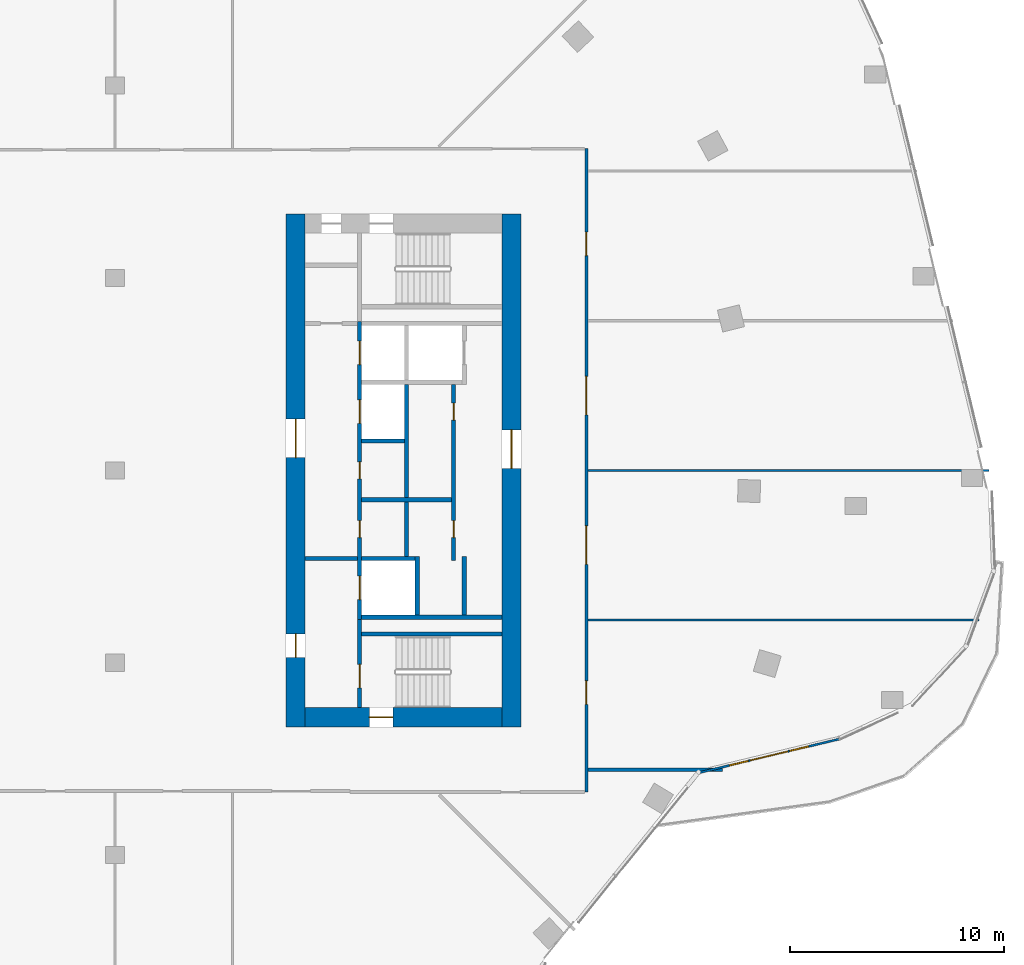
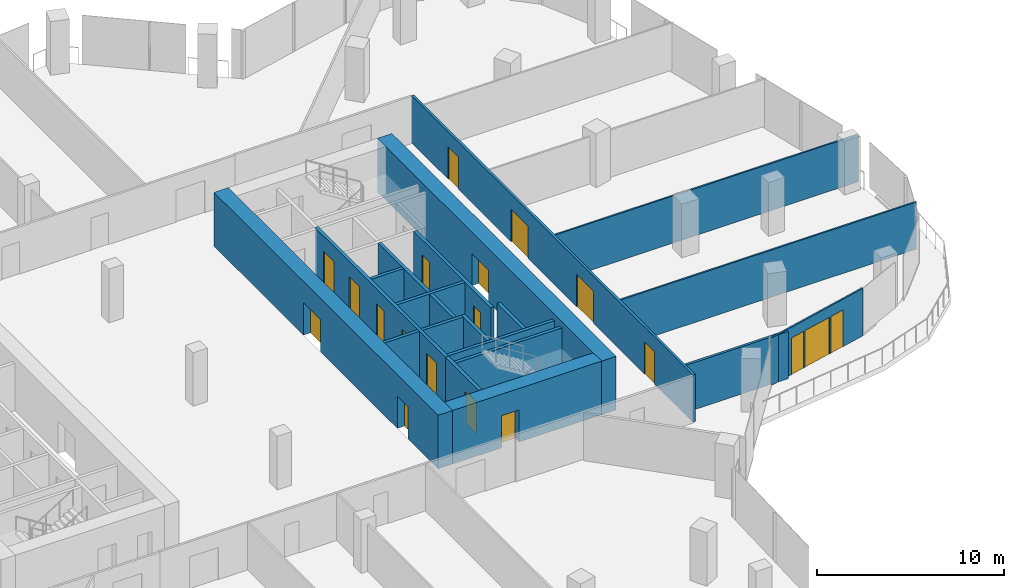
# One storey, part 18 of 24: 21 walls, 17 doors, 2 windows, 19 openings.
"""IFC4 building model written with IfcOpenShell, lengths in metres."""

from ifc_helpers import new_model, si_unit, direction, frame, frame_2d, origin, place, context, subcontext, project, spatial, rectangle, extrude, material, layer, layer_set, type_object, element, fill, save


model = new_model("IFC4")

# Units and contexts
model_context = context("Model", 3, precision=1e-05, world=origin(), true_north=direction((0.0, 1.0)))
body_context = subcontext(model_context, "Body", "Model", "MODEL_VIEW")
ifc_project = project(units=[si_unit("LENGTHUNIT", "METRE"), si_unit("AREAUNIT", "SQUARE_METRE"), si_unit("VOLUMEUNIT", "CUBIC_METRE"), si_unit("PLANEANGLEUNIT", "RADIAN"), si_unit("MASSUNIT", "GRAM", prefix="KILO")], contexts=[model_context])

# Site, building, storey
site_placement = place(None, origin())
site = spatial("IfcSite", under=ifc_project, at=site_placement, CompositionType="ELEMENT")
building_placement = place(site_placement, origin())
building = spatial("IfcBuilding", under=site, at=building_placement, Name="Orlundy Tower", CompositionType="ELEMENT")
storey_placement = place(building_placement, frame((0.0, 0.0, 210.5)))
storey = spatial("IfcBuildingStorey", under=building, at=storey_placement, Name="L55", CompositionType="ELEMENT", Elevation=210.5)

# Wall, opening, door
ifc_material_1 = material(Name="Concrete C60/75", Category="concrete")
ifc_layer_1 = layer(ifc_material_1, 0.89990234375)
ifc_layer_set_1 = layer_set([ifc_layer_1], Name="CORE WALL 900 C60/75")
wall_type_1 = type_object("IfcWallType", Name="CORE WALL 900 C60/75", PredefinedType="SHEAR", material=ifc_layer_set_1)
wall_1_placement = place(storey_placement, frame((8.89990234375, -11.550048828125, 0.0), z_axis=(0.0, 0.0, 1.0), x_axis=(1.0, 0.0, 0.0)))
wall_1 = element("IfcWall", 1, at=wall_1_placement, inside=storey, type_object=wall_type_1, Name="Core wall E-S L55", PredefinedType="SHEAR", context=body_context, shape_type="SweptSolid", body=[
    extrude(rectangle(XDim=9.2001953125, YDim=0.89990234375, at=frame_2d((4.60009765625, 0.0))), origin(), (0.0, 0.0, 1.0), 3.5),
])
opening_1_placement = place(wall_1_placement, frame((3.0, 0.0, 0.0)))
opening_1 = element("IfcOpeningElement", 2, at=opening_1_placement, cuts=wall_1, Name="Opening 42061", PredefinedType="OPENING", context=body_context, shape_type="SweptSolid", body=[
    extrude(rectangle(XDim=1.10009765625, YDim=2.10009765625, at=frame_2d((0.550048828125, 1.050048828125))), frame((0.0, 0.4599609375, 0.0), z_axis=(0.0, -1.0, 0.0), x_axis=(1.0, 0.0, 0.0)), (0.0, 0.0, 1.0), 0.919921875),
])
ifc_material_2 = material(Name="Steel door set", Category="steel")
door_type_1 = type_object("IfcDoorType", Name="Stair Door 1100x2100", OperationType="SINGLE_SWING_LEFT", PredefinedType="DOOR", material=ifc_material_2)
door_1_placement = place(opening_1_placement, origin())
door_1 = element("IfcDoor", 3, at=door_1_placement, inside=storey, type_object=door_type_1, Name="Stair door 42061", OperationType="SINGLE_SWING_LEFT", OverallHeight=2.10009765625, OverallWidth=1.10009765625, PredefinedType="DOOR", context=body_context, shape_type="SweptSolid", body=[
    extrude(rectangle(XDim=1.10009765625, YDim=2.10009765625, at=frame_2d((0.550048828125, 1.050048828125))), frame((0.0, 0.02490234375, 0.0), z_axis=(0.0, -1.0, 0.0), x_axis=(1.0, 0.0, 0.0)), (0.0, 0.0, 1.0), 0.050048828125),
])
fill(opening_1, door_1)

# Wall, openings, doors
wall_2_placement = place(storey_placement, frame((8.449951171875, -12.0, 0.0), z_axis=(0.0, 0.0, 1.0), x_axis=(0.0, 1.0, 0.0)))
wall_2 = element("IfcWall", 4, at=wall_2_placement, inside=storey, type_object=wall_type_1, Name="Core wall E-W L55", PredefinedType="SHEAR", context=body_context, shape_type="SweptSolid", body=[
    extrude(rectangle(XDim=24.0, YDim=0.89990234375, at=frame_2d((12.0, 0.0))), origin(), (0.0, 0.0, 1.0), 3.5),
])
opening_2_placement = place(wall_2_placement, frame((12.60009765625, 0.0, 0.0)))
opening_2 = element("IfcOpeningElement", 5, at=opening_2_placement, cuts=wall_2, Name="Opening 42058", PredefinedType="OPENING", context=body_context, shape_type="SweptSolid", body=[
    extrude(rectangle(XDim=1.800048828125, YDim=2.10009765625, at=frame_2d((0.89990234375, 1.050048828125))), frame((0.0, 0.4599609375, 0.0), z_axis=(0.0, -1.0, 0.0), x_axis=(1.0, 0.0, 0.0)), (0.0, 0.0, 1.0), 0.919921875),
])
opening_3_placement = place(wall_2_placement, frame((3.25, 0.0, 0.0)))
opening_3 = element("IfcOpeningElement", 6, at=opening_3_placement, cuts=wall_2, Name="Opening 42060", PredefinedType="OPENING", context=body_context, shape_type="SweptSolid", body=[
    extrude(rectangle(XDim=1.10009765625, YDim=2.10009765625, at=frame_2d((0.550048828125, 1.050048828125))), frame((0.0, 0.4599609375, 0.0), z_axis=(0.0, -1.0, 0.0), x_axis=(1.0, 0.0, 0.0)), (0.0, 0.0, 1.0), 0.919921875),
])
ifc_material_3 = material(Name="Steel door set", Category="steel")
door_type_2 = type_object("IfcDoorType", Name="Fire-fighting Lobby Door 1100x2100", OperationType="SINGLE_SWING_LEFT", PredefinedType="DOOR", material=ifc_material_3)
door_2_placement = place(opening_3_placement, origin())
door_2 = element("IfcDoor", 7, at=door_2_placement, inside=storey, type_object=door_type_2, Name="Fire-fighting lobby door 42060", OperationType="SINGLE_SWING_LEFT", OverallHeight=2.10009765625, OverallWidth=1.10009765625, PredefinedType="DOOR", context=body_context, shape_type="SweptSolid", body=[
    extrude(rectangle(XDim=1.10009765625, YDim=2.10009765625, at=frame_2d((0.550048828125, 1.050048828125))), frame((0.0, 0.02490234375, 0.0), z_axis=(0.0, -1.0, 0.0), x_axis=(1.0, 0.0, 0.0)), (0.0, 0.0, 1.0), 0.050048828125),
])
fill(opening_3, door_2)
ifc_material_4 = material(Name="Timber door set", Category="wood")
door_type_3 = type_object("IfcDoorType", Name="Lobby Door 1800x2100", OperationType="DOUBLE_DOOR_DOUBLE_SWING", PredefinedType="DOOR", material=ifc_material_4)
door_3_placement = place(opening_2_placement, origin())
door_3 = element("IfcDoor", 8, at=door_3_placement, inside=storey, type_object=door_type_3, Name="Lift lobby door 42058", OperationType="SINGLE_SWING_RIGHT", OverallHeight=2.10009765625, OverallWidth=1.800048828125, PredefinedType="DOOR", context=body_context, shape_type="SweptSolid", body=[
    extrude(rectangle(XDim=1.800048828125, YDim=2.10009765625, at=frame_2d((0.89990234375, 1.050048828125))), frame((0.0, 0.02490234375, 0.0), z_axis=(0.0, -1.0, 0.0), x_axis=(1.0, 0.0, 0.0)), (0.0, 0.0, 1.0), 0.050048828125),
])
fill(opening_2, door_3)

# Wall, opening, door
wall_3_placement = place(storey_placement, frame((18.550048828125, -12.0, 0.0), z_axis=(0.0, 0.0, 1.0), x_axis=(0.0, 1.0, 0.0)))
wall_3 = element("IfcWall", 9, at=wall_3_placement, inside=storey, type_object=wall_type_1, Name="Core wall E-E L55", PredefinedType="SHEAR", context=body_context, shape_type="SweptSolid", body=[
    extrude(rectangle(XDim=24.0, YDim=0.89990234375, at=frame_2d((12.0, 0.0))), origin(), (0.0, 0.0, 1.0), 3.5),
])
opening_4_placement = place(wall_3_placement, frame((12.10009765625, 0.0, 0.0)))
opening_4 = element("IfcOpeningElement", 10, at=opening_4_placement, cuts=wall_3, Name="Opening 42059", PredefinedType="OPENING", context=body_context, shape_type="SweptSolid", body=[
    extrude(rectangle(XDim=1.800048828125, YDim=2.10009765625, at=frame_2d((0.89990234375, 1.050048828125))), frame((0.0, 0.4599609375, 0.0), z_axis=(0.0, -1.0, 0.0), x_axis=(1.0, 0.0, 0.0)), (0.0, 0.0, 1.0), 0.919921875),
])
door_4_placement = place(opening_4_placement, origin())
door_4 = element("IfcDoor", 11, at=door_4_placement, inside=storey, type_object=door_type_3, Name="Lift lobby door 42059", OperationType="SINGLE_SWING_RIGHT", OverallHeight=2.10009765625, OverallWidth=1.800048828125, PredefinedType="DOOR", context=body_context, shape_type="SweptSolid", body=[
    extrude(rectangle(XDim=1.800048828125, YDim=2.10009765625, at=frame_2d((0.89990234375, 1.050048828125))), frame((0.0, 0.02490234375, 0.0), z_axis=(0.0, -1.0, 0.0), x_axis=(1.0, 0.0, 0.0)), (0.0, 0.0, 1.0), 0.050048828125),
])
fill(opening_4, door_4)

# Walls
ifc_material_5 = material(Name="Gypsum board partition")
ifc_layer_2 = layer(ifc_material_5, 0.10009765625)
ifc_layer_set_2 = layer_set([ifc_layer_2], Name="Floor partition 100")
wall_type_2 = type_object("IfcWallType", Name="Floor partition 100", PredefinedType="PARTITIONING", material=ifc_layer_set_2)
wall_4_placement = place(storey_placement, frame((22.1259765625, -7.0, 0.0), z_axis=(0.0, 0.0, 1.0), x_axis=(1.0, 0.0, 0.0)))
element("IfcWall", 12, at=wall_4_placement, inside=storey, type_object=wall_type_2, Name="wall-int-L55-011", PredefinedType="PARTITIONING", context=body_context, shape_type="SweptSolid", body=[
    extrude(rectangle(XDim=18.2939453125, YDim=0.10009765625, at=frame_2d((9.14697265625, 0.0))), origin(), (0.0, 0.0, 1.0), 3.080078125),
])
wall_5_placement = place(storey_placement, frame((22.1259765625, 0.0, 0.0), z_axis=(0.0, 0.0, 1.0), x_axis=(1.0, 0.0, 0.0)))
element("IfcWall", 13, at=wall_5_placement, inside=storey, type_object=wall_type_2, Name="wall-int-L55-012", PredefinedType="PARTITIONING", context=body_context, shape_type="SweptSolid", body=[
    extrude(rectangle(XDim=18.75390625, YDim=0.10009765625, at=frame_2d((9.376953125, 0.0))), origin(), (0.0, 0.0, 1.0), 3.080078125),
])
ifc_material_6 = material(Name="Blockwork shaft wall", Category="masonry")
ifc_layer_3 = layer(ifc_material_6, 0.14990234375)
ifc_layer_set_3 = layer_set([ifc_layer_3], Name="Floor shaft wall 150")
wall_type_3 = type_object("IfcWallType", Name="Floor shaft wall 150", PredefinedType="PARTITIONING", material=ifc_layer_set_3)
wall_6_placement = place(storey_placement, frame((22.1259765625, -14.0, 0.0), z_axis=(0.0, 0.0, 1.0), x_axis=(1.0, 0.0, 0.0)))
element("IfcWall", 14, at=wall_6_placement, inside=storey, type_object=wall_type_3, Name="wall-int-L55-010", PredefinedType="PARTITIONING", context=body_context, shape_type="SweptSolid", body=[
    extrude(rectangle(XDim=6.302978515625, YDim=0.14990234375, at=frame_2d((3.1513671875, 0.0))), origin(), (0.0, 0.0, 1.0), 3.080078125),
])

# Wall, openings, doors
wall_7_placement = place(storey_placement, frame((22.051025390625, 15.050048828125, 0.0), z_axis=(0.0, 0.0, 1.0), x_axis=(0.0, -1.0, 0.0)))
wall_7 = element("IfcWall", 15, at=wall_7_placement, inside=storey, type_object=wall_type_3, Name="wall-int-L55-023", PredefinedType="PARTITIONING", context=body_context, shape_type="SweptSolid", body=[
    extrude(rectangle(XDim=30.10009765625, YDim=0.14990234375, at=frame_2d((15.050048828125, 0.0))), origin(), (0.0, 0.0, 1.0), 3.080078125),
])
opening_5_placement = place(wall_7_placement, frame((24.89990234375, 0.0, 0.0)))
opening_5 = element("IfcOpeningElement", 16, at=opening_5_placement, cuts=wall_7, Name="Opening 42108", PredefinedType="OPENING", context=body_context, shape_type="SweptSolid", body=[
    extrude(rectangle(XDim=1.10009765625, YDim=2.10009765625, at=frame_2d((0.550048828125, 1.050048828125))), frame((0.0, 0.0849609375, 0.0), z_axis=(0.0, -1.0, 0.0), x_axis=(1.0, 0.0, 0.0)), (0.0, 0.0, 1.0), 0.169921875),
])
opening_6_placement = place(wall_7_placement, frame((17.64990234375, 0.0, 0.0)))
opening_6 = element("IfcOpeningElement", 17, at=opening_6_placement, cuts=wall_7, Name="Opening 42109", PredefinedType="OPENING", context=body_context, shape_type="SweptSolid", body=[
    extrude(rectangle(XDim=1.800048828125, YDim=2.10009765625, at=frame_2d((0.89990234375, 1.050048828125))), frame((0.0, 0.0849609375, 0.0), z_axis=(0.0, -1.0, 0.0), x_axis=(1.0, 0.0, 0.0)), (0.0, 0.0, 1.0), 0.169921875),
])
opening_7_placement = place(wall_7_placement, frame((10.64990234375, 0.0, 0.0)))
opening_7 = element("IfcOpeningElement", 18, at=opening_7_placement, cuts=wall_7, Name="Opening 42110", PredefinedType="OPENING", context=body_context, shape_type="SweptSolid", body=[
    extrude(rectangle(XDim=1.800048828125, YDim=2.10009765625, at=frame_2d((0.89990234375, 1.050048828125))), frame((0.0, 0.0849609375, 0.0), z_axis=(0.0, -1.0, 0.0), x_axis=(1.0, 0.0, 0.0)), (0.0, 0.0, 1.0), 0.169921875),
])
opening_8_placement = place(wall_7_placement, frame((3.89990234375, 0.0, 0.0)))
opening_8 = element("IfcOpeningElement", 19, at=opening_8_placement, cuts=wall_7, Name="Opening 42111", PredefinedType="OPENING", context=body_context, shape_type="SweptSolid", body=[
    extrude(rectangle(XDim=1.10009765625, YDim=2.10009765625, at=frame_2d((0.550048828125, 1.050048828125))), frame((0.0, 0.0849609375, 0.0), z_axis=(0.0, -1.0, 0.0), x_axis=(1.0, 0.0, 0.0)), (0.0, 0.0, 1.0), 0.169921875),
])
ifc_material_7 = material(Name="Timber door leaf", Category="wood")
door_type_4 = type_object("IfcDoorType", Name="Floor door double 1800 FD60", OperationType="NOTDEFINED", PredefinedType="DOOR", material=ifc_material_7)
door_5_placement = place(opening_6_placement, origin())
door_5 = element("IfcDoor", 20, at=door_5_placement, inside=storey, type_object=door_type_4, Name="Door 42109", OperationType="DOUBLE_DOOR_SINGLE_SWING", OverallHeight=2.10009765625, OverallWidth=1.800048828125, PredefinedType="DOOR", context=body_context, shape_type="SweptSolid", body=[
    extrude(rectangle(XDim=1.800048828125, YDim=2.10009765625, at=frame_2d((0.89990234375, 1.050048828125))), frame((0.0, 0.02490234375, 0.0), z_axis=(0.0, -1.0, 0.0), x_axis=(1.0, 0.0, 0.0)), (0.0, 0.0, 1.0), 0.050048828125),
])
fill(opening_6, door_5)
door_6_placement = place(opening_7_placement, origin())
door_6 = element("IfcDoor", 21, at=door_6_placement, inside=storey, type_object=door_type_4, Name="Door 42110", OperationType="DOUBLE_DOOR_SINGLE_SWING", OverallHeight=2.10009765625, OverallWidth=1.800048828125, PredefinedType="DOOR", context=body_context, shape_type="SweptSolid", body=[
    extrude(rectangle(XDim=1.800048828125, YDim=2.10009765625, at=frame_2d((0.89990234375, 1.050048828125))), frame((0.0, 0.02490234375, 0.0), z_axis=(0.0, -1.0, 0.0), x_axis=(1.0, 0.0, 0.0)), (0.0, 0.0, 1.0), 0.050048828125),
])
fill(opening_7, door_6)
ifc_material_8 = material(Name="Timber door leaf", Category="wood")
door_type_5 = type_object("IfcDoorType", Name="Floor door xwide 1100 FD60", OperationType="NOTDEFINED", PredefinedType="DOOR", material=ifc_material_8)
door_7_placement = place(opening_5_placement, origin())
door_7 = element("IfcDoor", 22, at=door_7_placement, inside=storey, type_object=door_type_5, Name="Door 42108", OperationType="SINGLE_SWING_RIGHT", OverallHeight=2.10009765625, OverallWidth=1.10009765625, PredefinedType="DOOR", context=body_context, shape_type="SweptSolid", body=[
    extrude(rectangle(XDim=1.10009765625, YDim=2.10009765625, at=frame_2d((0.550048828125, 1.050048828125))), frame((0.0, 0.02490234375, 0.0), z_axis=(0.0, -1.0, 0.0), x_axis=(1.0, 0.0, 0.0)), (0.0, 0.0, 1.0), 0.050048828125),
])
fill(opening_5, door_7)
door_8_placement = place(opening_8_placement, origin())
door_8 = element("IfcDoor", 23, at=door_8_placement, inside=storey, type_object=door_type_5, Name="Door 42111", OperationType="SINGLE_SWING_LEFT", OverallHeight=2.10009765625, OverallWidth=1.10009765625, PredefinedType="DOOR", context=body_context, shape_type="SweptSolid", body=[
    extrude(rectangle(XDim=1.10009765625, YDim=2.10009765625, at=frame_2d((0.550048828125, 1.050048828125))), frame((0.0, 0.02490234375, 0.0), z_axis=(0.0, -1.0, 0.0), x_axis=(1.0, 0.0, 0.0)), (0.0, 0.0, 1.0), 0.050048828125),
])
fill(opening_8, door_8)

# Wall, openings, windows, door
ifc_material_9 = material(Name="Aluminium bronze and tinted glass", Category="aluminium")
ifc_layer_4 = layer(ifc_material_9, 0.10009765625)
ifc_layer_set_4 = layer_set([ifc_layer_4], Name="Glazed door screen")
wall_type_4 = type_object("IfcWallType", Name="Glazed door screen", PredefinedType="STANDARD", material=ifc_layer_set_4)
wall_8_placement = place(storey_placement, frame((33.861572265625, -12.572509765625, 0.0), z_axis=(0.0, 0.0, 1.0), x_axis=(-0.97236553207, -0.233463641798, 0.0)))
wall_8 = element("IfcWall", 24, at=wall_8_placement, inside=storey, type_object=wall_type_4, Name="Glazed door screen", PredefinedType="STANDARD", context=body_context, shape_type="SweptSolid", body=[
    extrude(rectangle(XDim=6.719970703125, YDim=0.10009765625, at=frame_2d((3.35986328125, 0.0))), origin(), (0.0, 0.0, 1.0), 3.10009765625),
])
opening_9_placement = place(wall_8_placement, frame((2.4599609375, 0.0, 0.0)))
opening_9 = element("IfcOpeningElement", 25, at=opening_9_placement, cuts=wall_8, Name="Opening 42941", PredefinedType="OPENING", context=body_context, shape_type="SweptSolid", body=[
    extrude(rectangle(XDim=1.800048828125, YDim=2.39990234375, at=frame_2d((0.89990234375, 1.199951171875))), frame((0.0, 0.06005859375, 0.0), z_axis=(0.0, -1.0, 0.0), x_axis=(1.0, 0.0, 0.0)), (0.0, 0.0, 1.0), 0.1201171875),
])
opening_10_placement = place(wall_8_placement, frame((1.4599609375, 0.0, 0.0)))
opening_10 = element("IfcOpeningElement", 26, at=opening_10_placement, cuts=wall_8, Name="Opening W02", PredefinedType="OPENING", context=body_context, shape_type="SweptSolid", body=[
    extrude(rectangle(XDim=0.89990234375, YDim=2.39990234375, at=frame_2d((0.449951171875, 1.199951171875))), frame((0.0, 0.06005859375, 0.0), z_axis=(0.0, -1.0, 0.0), x_axis=(1.0, 0.0, 0.0)), (0.0, 0.0, 1.0), 0.1201171875),
])
opening_11_placement = place(wall_8_placement, frame((4.35986328125, 0.0, 0.0)))
opening_11 = element("IfcOpeningElement", 27, at=opening_11_placement, cuts=wall_8, Name="Opening W02", PredefinedType="OPENING", context=body_context, shape_type="SweptSolid", body=[
    extrude(rectangle(XDim=0.89990234375, YDim=2.39990234375, at=frame_2d((0.449951171875, 1.199951171875))), frame((0.0, 0.06005859375, 0.0), z_axis=(0.0, -1.0, 0.0), x_axis=(1.0, 0.0, 0.0)), (0.0, 0.0, 1.0), 0.1201171875),
])
ifc_material_10 = material(Name="Tinted glass in bronze aluminium frame", Category="aluminium")
window_type = type_object("IfcWindowType", Name="SL2 sidelight 900x2400", PartitioningType="SINGLE_PANEL", PredefinedType="WINDOW", material=ifc_material_10)
window_1_placement = place(opening_10_placement, origin())
window_1 = element("IfcWindow", 28, at=window_1_placement, inside=storey, type_object=window_type, Name="Window W02 L55", OverallHeight=2.39990234375, OverallWidth=0.89990234375, PartitioningType="SINGLE_PANEL", PredefinedType="WINDOW", context=body_context, shape_type="SweptSolid", body=[
    extrude(rectangle(XDim=0.89990234375, YDim=2.39990234375, at=frame_2d((0.449951171875, 1.199951171875))), frame((0.0, 0.030029296875, 0.0), z_axis=(0.0, -1.0, 0.0), x_axis=(1.0, 0.0, 0.0)), (0.0, 0.0, 1.0), 0.06005859375),
])
fill(opening_10, window_1)
window_2_placement = place(opening_11_placement, origin())
window_2 = element("IfcWindow", 29, at=window_2_placement, inside=storey, type_object=window_type, Name="Window W02 L55", OverallHeight=2.39990234375, OverallWidth=0.89990234375, PartitioningType="SINGLE_PANEL", PredefinedType="WINDOW", context=body_context, shape_type="SweptSolid", body=[
    extrude(rectangle(XDim=0.89990234375, YDim=2.39990234375, at=frame_2d((0.449951171875, 1.199951171875))), frame((0.0, 0.030029296875, 0.0), z_axis=(0.0, -1.0, 0.0), x_axis=(1.0, 0.0, 0.0)), (0.0, 0.0, 1.0), 0.06005859375),
])
fill(opening_11, window_2)
ifc_material_11 = material(Name="Aluminium bronze and tinted glass", Category="aluminium")
door_type_6 = type_object("IfcDoorType", Name="TD1 terrace door 1800x2400", OperationType="NOTDEFINED", PredefinedType="DOOR", material=ifc_material_11)
door_9_placement = place(opening_9_placement, origin())
door_9 = element("IfcDoor", 30, at=door_9_placement, inside=storey, type_object=door_type_6, Name="Door 42941", OperationType="DOUBLE_DOOR_SINGLE_SWING", OverallHeight=2.39990234375, OverallWidth=1.800048828125, PredefinedType="DOOR", context=body_context, shape_type="SweptSolid", body=[
    extrude(rectangle(XDim=1.800048828125, YDim=2.39990234375, at=frame_2d((0.89990234375, 1.199951171875))), frame((0.0, 0.02490234375, 0.0), z_axis=(0.0, -1.0, 0.0), x_axis=(1.0, 0.0, 0.0)), (0.0, 0.0, 1.0), 0.050048828125),
])
fill(opening_9, door_9)

# Wall, opening, door
ifc_material_12 = material(Name="Concrete C40/50", Category="concrete")
ifc_layer_5 = layer(ifc_material_12, 0.199951171875)
ifc_layer_set_5 = layer_set([ifc_layer_5], Name="Load-bearing Shaft Wall 200")
wall_type_5 = type_object("IfcWallType", Name="Load-bearing Shaft Wall 200", PredefinedType="SOLIDWALL", material=ifc_layer_set_5)
wall_9_placement = place(storey_placement, frame((11.43994140625, -6.97509765625, 0.0), z_axis=(0.0, 0.0, 1.0), x_axis=(0.0, -1.0, 0.0)))
wall_9 = element("IfcWall", 31, at=wall_9_placement, inside=storey, type_object=wall_type_5, Name="Shaft wall E42-stair-end-n", PredefinedType="SOLIDWALL", context=body_context, shape_type="SweptSolid", body=[
    extrude(rectangle(XDim=4.125, YDim=0.199951171875, at=frame_2d((2.0625, 0.0))), origin(), (0.0, 0.0, 1.0), 3.090087890625),
])
opening_12_placement = place(wall_9_placement, frame((2.10009765625, 0.0, 0.0)))
opening_12 = element("IfcOpeningElement", 32, at=opening_12_placement, cuts=wall_9, Name="Opening 42063", PredefinedType="OPENING", context=body_context, shape_type="SweptSolid", body=[
    extrude(rectangle(XDim=1.10009765625, YDim=2.10009765625, at=frame_2d((0.550048828125, 1.050048828125))), frame((0.0, 0.110107421875, 0.0), z_axis=(0.0, -1.0, 0.0), x_axis=(1.0, 0.0, 0.0)), (0.0, 0.0, 1.0), 0.22021484375),
])
door_10_placement = place(opening_12_placement, origin())
door_10 = element("IfcDoor", 33, at=door_10_placement, inside=storey, type_object=door_type_2, Name="Fire-fighting lobby to stair door 42063", OperationType="SINGLE_SWING_RIGHT", OverallHeight=2.10009765625, OverallWidth=1.10009765625, PredefinedType="DOOR", context=body_context, shape_type="SweptSolid", body=[
    extrude(rectangle(XDim=1.10009765625, YDim=2.10009765625, at=frame_2d((0.550048828125, 1.050048828125))), frame((0.0, 0.02490234375, 0.0), z_axis=(0.0, -1.0, 0.0), x_axis=(1.0, 0.0, 0.0)), (0.0, 0.0, 1.0), 0.050048828125),
])
fill(opening_12, door_10)

# Walls
wall_10_placement = place(storey_placement, frame((11.5400390625, -7.64990234375, 0.0), z_axis=(0.0, 0.0, 1.0), x_axis=(1.0, 0.0, 0.0)))
element("IfcWall", 34, at=wall_10_placement, inside=storey, type_object=wall_type_5, Name="Shaft wall E42-stair-side-n", PredefinedType="SOLIDWALL", context=body_context, shape_type="SweptSolid", body=[
    extrude(rectangle(XDim=6.56005859375, YDim=0.199951171875, at=frame_2d((3.280029296875, 0.0))), origin(), (0.0, 0.0, 1.0), 3.090087890625),
])
ifc_material_13 = material(Name="Gypsum board partition on steel studs", Category="steel")
ifc_layer_6 = layer(ifc_material_13, 0.199951171875)
ifc_layer_set_6 = layer_set([ifc_layer_6], Name="Partition 200")
wall_type_6 = type_object("IfcWallType", Name="Partition 200", PredefinedType="PARTITIONING", material=ifc_layer_set_6)
wall_11_placement = place(storey_placement, frame((8.89990234375, -4.125, 0.0), z_axis=(0.0, 0.0, 1.0), x_axis=(1.0, 0.0, 0.0)))
element("IfcWall", 35, at=wall_11_placement, inside=storey, type_object=wall_type_6, Name="Partition wall E42-lobby-n", PredefinedType="PARTITIONING", context=body_context, shape_type="SweptSolid", body=[
    extrude(rectangle(XDim=2.440185546875, YDim=0.199951171875, at=frame_2d((1.22021484375, 0.0))), origin(), (0.0, 0.0, 1.0), 3.090087890625),
])
ifc_material_14 = material(Name="Fire-rated blockwork shaft wall", Category="masonry")
ifc_layer_7 = layer(ifc_material_14, 0.199951171875)
ifc_layer_set_7 = layer_set([ifc_layer_7], Name="Shaft Wall 200")
wall_type_7 = type_object("IfcWallType", Name="Shaft Wall 200", PredefinedType="SOLIDWALL", material=ifc_layer_set_7)
wall_12_placement = place(storey_placement, frame((11.5400390625, -6.875, 0.0), z_axis=(0.0, 0.0, 1.0), x_axis=(1.0, 0.0, 0.0)))
element("IfcWall", 36, at=wall_12_placement, inside=storey, type_object=wall_type_7, Name="Shaft wall E42-zone-n", PredefinedType="SOLIDWALL", context=body_context, shape_type="SweptSolid", body=[
    extrude(rectangle(XDim=6.56005859375, YDim=0.199951171875, at=frame_2d((3.280029296875, 0.0))), origin(), (0.0, 0.0, 1.0), 3.090087890625),
])
wall_13_placement = place(storey_placement, frame((11.5400390625, 1.375, 0.0), z_axis=(0.0, 0.0, 1.0), x_axis=(1.0, 0.0, 0.0)))
element("IfcWall", 37, at=wall_13_placement, inside=storey, type_object=wall_type_7, Name="Shaft wall E42-cross-1.375", PredefinedType="SOLIDWALL", context=body_context, shape_type="SweptSolid", body=[
    extrude(rectangle(XDim=2.0, YDim=0.199951171875, at=frame_2d((1.0, 0.0))), origin(), (0.0, 0.0, 1.0), 3.090087890625),
])
wall_14_placement = place(storey_placement, frame((11.5400390625, -1.375, 0.0), z_axis=(0.0, 0.0, 1.0), x_axis=(1.0, 0.0, 0.0)))
element("IfcWall", 38, at=wall_14_placement, inside=storey, type_object=wall_type_7, Name="Shaft wall E42-cross+1.375", PredefinedType="SOLIDWALL", context=body_context, shape_type="SweptSolid", body=[
    extrude(rectangle(XDim=4.199951171875, YDim=0.199951171875, at=frame_2d((2.10009765625, 0.0))), origin(), (0.0, 0.0, 1.0), 3.090087890625),
])
wall_15_placement = place(storey_placement, frame((11.5400390625, -4.125, 0.0), z_axis=(0.0, 0.0, 1.0), x_axis=(1.0, 0.0, 0.0)))
element("IfcWall", 39, at=wall_15_placement, inside=storey, type_object=wall_type_7, Name="Shaft wall E42-cross+4.125", PredefinedType="SOLIDWALL", context=body_context, shape_type="SweptSolid", body=[
    extrude(rectangle(XDim=2.5, YDim=0.199951171875, at=frame_2d((1.25, 0.0))), origin(), (0.0, 0.0, 1.0), 3.090087890625),
])

# Wall, openings, doors
wall_16_placement = place(storey_placement, frame((11.43994140625, 6.97509765625, 0.0), z_axis=(0.0, 0.0, 1.0), x_axis=(0.0, -1.0, 0.0)))
wall_16 = element("IfcWall", 40, at=wall_16_placement, inside=storey, type_object=wall_type_7, Name="Shaft wall E42-front-h", PredefinedType="SOLIDWALL", context=body_context, shape_type="SweptSolid", body=[
    extrude(rectangle(XDim=13.9501953125, YDim=0.199951171875, at=frame_2d((6.97509765625, 0.0))), origin(), (0.0, 0.0, 1.0), 3.090087890625),
])
opening_13_placement = place(wall_16_placement, frame((0.925048828125, 0.0, 0.0)))
opening_13 = element("IfcOpeningElement", 41, at=opening_13_placement, cuts=wall_16, Name="Opening 42050", PredefinedType="OPENING", context=body_context, shape_type="SweptSolid", body=[
    extrude(rectangle(XDim=1.10009765625, YDim=2.10009765625, at=frame_2d((0.550048828125, 1.050048828125))), frame((0.0, 0.110107421875, 0.0), z_axis=(0.0, -1.0, 0.0), x_axis=(1.0, 0.0, 0.0)), (0.0, 0.0, 1.0), 0.22021484375),
])
opening_14_placement = place(wall_16_placement, frame((3.675048828125, 0.0, 0.0)))
opening_14 = element("IfcOpeningElement", 42, at=opening_14_placement, cuts=wall_16, Name="Opening 42052", PredefinedType="OPENING", context=body_context, shape_type="SweptSolid", body=[
    extrude(rectangle(XDim=1.10009765625, YDim=2.10009765625, at=frame_2d((0.550048828125, 1.050048828125))), frame((0.0, 0.110107421875, 0.0), z_axis=(0.0, -1.0, 0.0), x_axis=(1.0, 0.0, 0.0)), (0.0, 0.0, 1.0), 0.22021484375),
])
opening_15_placement = place(wall_16_placement, frame((11.925048828125, 0.0, 0.0)))
opening_15 = element("IfcOpeningElement", 43, at=opening_15_placement, cuts=wall_16, Name="Opening 42053", PredefinedType="OPENING", context=body_context, shape_type="SweptSolid", body=[
    extrude(rectangle(XDim=1.10009765625, YDim=2.10009765625, at=frame_2d((0.550048828125, 1.050048828125))), frame((0.0, 0.110107421875, 0.0), z_axis=(0.0, -1.0, 0.0), x_axis=(1.0, 0.0, 0.0)), (0.0, 0.0, 1.0), 0.22021484375),
])
opening_16_placement = place(wall_16_placement, frame((6.574951171875, 0.0, 0.0)))
opening_16 = element("IfcOpeningElement", 44, at=opening_16_placement, cuts=wall_16, Name="Opening 42055", PredefinedType="OPENING", context=body_context, shape_type="SweptSolid", body=[
    extrude(rectangle(XDim=0.800048828125, YDim=2.10009765625, at=frame_2d((0.39990234375, 1.050048828125))), frame((0.0, 0.110107421875, 0.0), z_axis=(0.0, -1.0, 0.0), x_axis=(1.0, 0.0, 0.0)), (0.0, 0.0, 1.0), 0.22021484375),
])
opening_17_placement = place(wall_16_placement, frame((9.324951171875, 0.0, 0.0)))
opening_17 = element("IfcOpeningElement", 45, at=opening_17_placement, cuts=wall_16, Name="Opening 42056", PredefinedType="OPENING", context=body_context, shape_type="SweptSolid", body=[
    extrude(rectangle(XDim=0.800048828125, YDim=2.10009765625, at=frame_2d((0.39990234375, 1.050048828125))), frame((0.0, 0.110107421875, 0.0), z_axis=(0.0, -1.0, 0.0), x_axis=(1.0, 0.0, 0.0)), (0.0, 0.0, 1.0), 0.22021484375),
])
ifc_material_15 = material(Name="Steel door set", Category="steel")
door_type_7 = type_object("IfcDoorType", Name="Landing Door 1100x2100", OperationType="DOUBLE_DOOR_SLIDING", PredefinedType="DOOR", material=ifc_material_15)
door_11_placement = place(opening_13_placement, origin())
door_11 = element("IfcDoor", 46, at=door_11_placement, inside=storey, type_object=door_type_7, Name="Lift landing door LP-24 42050", OperationType="DOUBLE_DOOR_SLIDING", OverallHeight=2.10009765625, OverallWidth=1.10009765625, PredefinedType="DOOR", context=body_context, shape_type="SweptSolid", body=[
    extrude(rectangle(XDim=1.10009765625, YDim=2.10009765625, at=frame_2d((0.550048828125, 1.050048828125))), frame((0.0, 0.02490234375, 0.0), z_axis=(0.0, -1.0, 0.0), x_axis=(1.0, 0.0, 0.0)), (0.0, 0.0, 1.0), 0.050048828125),
])
fill(opening_13, door_11)
door_12_placement = place(opening_14_placement, origin())
door_12 = element("IfcDoor", 47, at=door_12_placement, inside=storey, type_object=door_type_7, Name="Lift landing door LP-23 42052", OperationType="DOUBLE_DOOR_SLIDING", OverallHeight=2.10009765625, OverallWidth=1.10009765625, PredefinedType="DOOR", context=body_context, shape_type="SweptSolid", body=[
    extrude(rectangle(XDim=1.10009765625, YDim=2.10009765625, at=frame_2d((0.550048828125, 1.050048828125))), frame((0.0, 0.02490234375, 0.0), z_axis=(0.0, -1.0, 0.0), x_axis=(1.0, 0.0, 0.0)), (0.0, 0.0, 1.0), 0.050048828125),
])
fill(opening_14, door_12)
door_13_placement = place(opening_15_placement, origin())
door_13 = element("IfcDoor", 48, at=door_13_placement, inside=storey, type_object=door_type_7, Name="Lift landing door FL2 42053", OperationType="DOUBLE_DOOR_SLIDING", OverallHeight=2.10009765625, OverallWidth=1.10009765625, PredefinedType="DOOR", context=body_context, shape_type="SweptSolid", body=[
    extrude(rectangle(XDim=1.10009765625, YDim=2.10009765625, at=frame_2d((0.550048828125, 1.050048828125))), frame((0.0, 0.02490234375, 0.0), z_axis=(0.0, -1.0, 0.0), x_axis=(1.0, 0.0, 0.0)), (0.0, 0.0, 1.0), 0.050048828125),
])
fill(opening_15, door_13)
ifc_material_16 = material(Name="Timber door set", Category="wood")
door_type_8 = type_object("IfcDoorType", Name="Riser Door 800x2100", OperationType="SINGLE_SWING_LEFT", PredefinedType="DOOR", material=ifc_material_16)
door_14_placement = place(opening_16_placement, origin())
door_14 = element("IfcDoor", 49, at=door_14_placement, inside=storey, type_object=door_type_8, Name="Security Store door 42055", OperationType="SINGLE_SWING_LEFT", OverallHeight=2.10009765625, OverallWidth=0.800048828125, PredefinedType="DOOR", context=body_context, shape_type="SweptSolid", body=[
    extrude(rectangle(XDim=0.800048828125, YDim=2.10009765625, at=frame_2d((0.39990234375, 1.050048828125))), frame((0.0, 0.02490234375, 0.0), z_axis=(0.0, -1.0, 0.0), x_axis=(1.0, 0.0, 0.0)), (0.0, 0.0, 1.0), 0.050048828125),
])
fill(opening_16, door_14)
door_15_placement = place(opening_17_placement, origin())
door_15 = element("IfcDoor", 50, at=door_15_placement, inside=storey, type_object=door_type_8, Name="Furniture Store door 42056", OperationType="SINGLE_SWING_LEFT", OverallHeight=2.10009765625, OverallWidth=0.800048828125, PredefinedType="DOOR", context=body_context, shape_type="SweptSolid", body=[
    extrude(rectangle(XDim=0.800048828125, YDim=2.10009765625, at=frame_2d((0.39990234375, 1.050048828125))), frame((0.0, 0.02490234375, 0.0), z_axis=(0.0, -1.0, 0.0), x_axis=(1.0, 0.0, 0.0)), (0.0, 0.0, 1.0), 0.050048828125),
])
fill(opening_17, door_15)

# Walls
wall_17_placement = place(storey_placement, frame((13.639892578125, 4.02490234375, 0.0), z_axis=(0.0, 0.0, 1.0), x_axis=(0.0, -1.0, 0.0)))
element("IfcWall", 51, at=wall_17_placement, inside=storey, type_object=wall_type_7, Name="Shaft wall E42-mid-a.1", PredefinedType="SOLIDWALL", context=body_context, shape_type="SweptSolid", body=[
    extrude(rectangle(XDim=5.2998046875, YDim=0.199951171875, at=frame_2d((2.64990234375, 0.0))), origin(), (0.0, 0.0, 1.0), 3.090087890625),
])
wall_18_placement = place(storey_placement, frame((13.639892578125, -1.47509765625, 0.0), z_axis=(0.0, 0.0, 1.0), x_axis=(0.0, -1.0, 0.0)))
element("IfcWall", 52, at=wall_18_placement, inside=storey, type_object=wall_type_7, Name="Shaft wall E42-mid-a.2", PredefinedType="SOLIDWALL", context=body_context, shape_type="SweptSolid", body=[
    extrude(rectangle(XDim=2.5498046875, YDim=0.199951171875, at=frame_2d((1.27490234375, 0.0))), origin(), (0.0, 0.0, 1.0), 3.090087890625),
])
wall_19_placement = place(storey_placement, frame((14.139892578125, -4.02490234375, 0.0), z_axis=(0.0, 0.0, 1.0), x_axis=(0.0, -1.0, 0.0)))
element("IfcWall", 53, at=wall_19_placement, inside=storey, type_object=wall_type_7, Name="Shaft wall E42-mid-b", PredefinedType="SOLIDWALL", context=body_context, shape_type="SweptSolid", body=[
    extrude(rectangle(XDim=2.75, YDim=0.199951171875, at=frame_2d((1.375, 0.0))), origin(), (0.0, 0.0, 1.0), 3.090087890625),
])

# Wall, openings, doors
wall_20_placement = place(storey_placement, frame((15.840087890625, 4.02490234375, 0.0), z_axis=(0.0, 0.0, 1.0), x_axis=(0.0, -1.0, 0.0)))
wall_20 = element("IfcWall", 54, at=wall_20_placement, inside=storey, type_object=wall_type_7, Name="Shaft wall E42-front-o-b", PredefinedType="SOLIDWALL", context=body_context, shape_type="SweptSolid", body=[
    extrude(rectangle(XDim=8.25, YDim=0.199951171875, at=frame_2d((4.125, 0.0))), origin(), (0.0, 0.0, 1.0), 3.090087890625),
])
opening_18_placement = place(wall_20_placement, frame((0.875, 0.0, 0.0)))
opening_18 = element("IfcOpeningElement", 55, at=opening_18_placement, cuts=wall_20, Name="Opening 42054", PredefinedType="OPENING", context=body_context, shape_type="SweptSolid", body=[
    extrude(rectangle(XDim=0.800048828125, YDim=2.10009765625, at=frame_2d((0.39990234375, 1.050048828125))), frame((0.0, 0.110107421875, 0.0), z_axis=(0.0, -1.0, 0.0), x_axis=(1.0, 0.0, 0.0)), (0.0, 0.0, 1.0), 0.22021484375),
])
opening_19_placement = place(wall_20_placement, frame((6.375, 0.0, 0.0)))
opening_19 = element("IfcOpeningElement", 56, at=opening_19_placement, cuts=wall_20, Name="Opening 42057", PredefinedType="OPENING", context=body_context, shape_type="SweptSolid", body=[
    extrude(rectangle(XDim=0.800048828125, YDim=2.10009765625, at=frame_2d((0.39990234375, 1.050048828125))), frame((0.0, 0.110107421875, 0.0), z_axis=(0.0, -1.0, 0.0), x_axis=(1.0, 0.0, 0.0)), (0.0, 0.0, 1.0), 0.22021484375),
])
door_16_placement = place(opening_18_placement, origin())
door_16 = element("IfcDoor", 57, at=door_16_placement, inside=storey, type_object=door_type_8, Name="HVAC Riser door 42054", OperationType="SINGLE_SWING_LEFT", OverallHeight=2.10009765625, OverallWidth=0.800048828125, PredefinedType="DOOR", context=body_context, shape_type="SweptSolid", body=[
    extrude(rectangle(XDim=0.800048828125, YDim=2.10009765625, at=frame_2d((0.39990234375, 1.050048828125))), frame((0.0, 0.02490234375, 0.0), z_axis=(0.0, -1.0, 0.0), x_axis=(1.0, 0.0, 0.0)), (0.0, 0.0, 1.0), 0.050048828125),
])
fill(opening_18, door_16)
door_17_placement = place(opening_19_placement, origin())
door_17 = element("IfcDoor", 58, at=door_17_placement, inside=storey, type_object=door_type_8, Name="Cleaner's Store door 42057", OperationType="SINGLE_SWING_LEFT", OverallHeight=2.10009765625, OverallWidth=0.800048828125, PredefinedType="DOOR", context=body_context, shape_type="SweptSolid", body=[
    extrude(rectangle(XDim=0.800048828125, YDim=2.10009765625, at=frame_2d((0.39990234375, 1.050048828125))), frame((0.0, 0.02490234375, 0.0), z_axis=(0.0, -1.0, 0.0), x_axis=(1.0, 0.0, 0.0)), (0.0, 0.0, 1.0), 0.050048828125),
])
fill(opening_19, door_17)

# Wall
wall_21_placement = place(storey_placement, frame((16.340087890625, -4.02490234375, 0.0), z_axis=(0.0, 0.0, 1.0), x_axis=(0.0, -1.0, 0.0)))
element("IfcWall", 59, at=wall_21_placement, inside=storey, type_object=wall_type_7, Name="Shaft wall E42-front-o-c", PredefinedType="SOLIDWALL", context=body_context, shape_type="SweptSolid", body=[
    extrude(rectangle(XDim=2.75, YDim=0.199951171875, at=frame_2d((1.375, 0.0))), origin(), (0.0, 0.0, 1.0), 3.090087890625),
])

save(model, "model.ifc")
